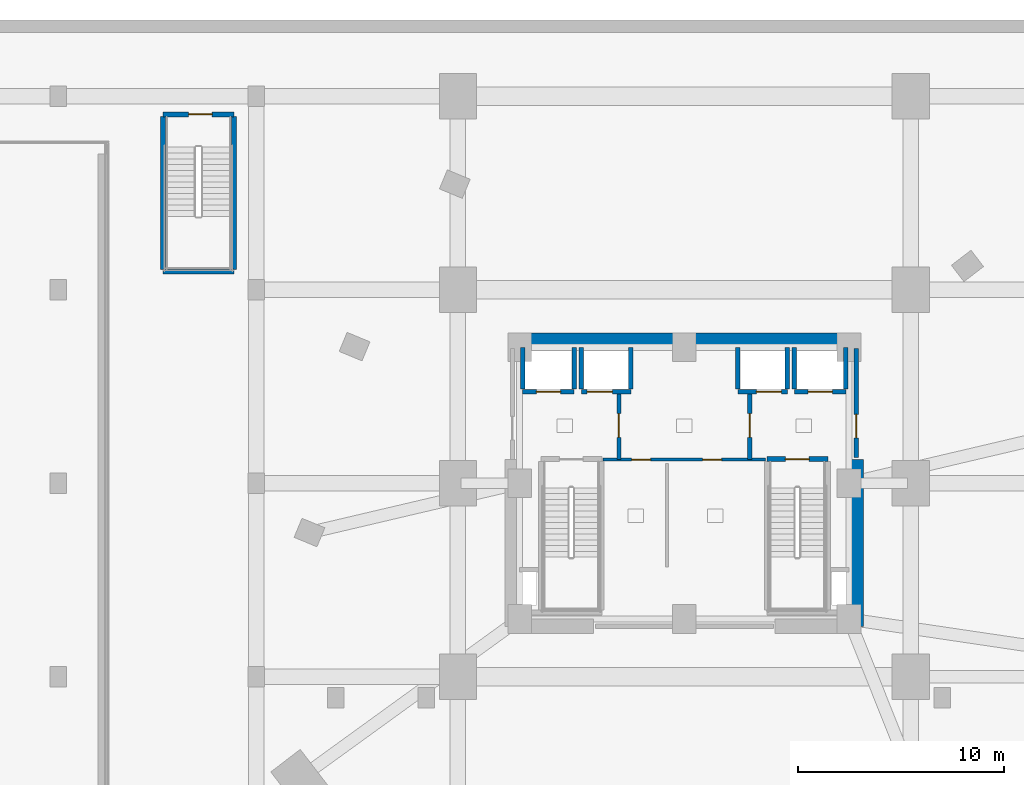
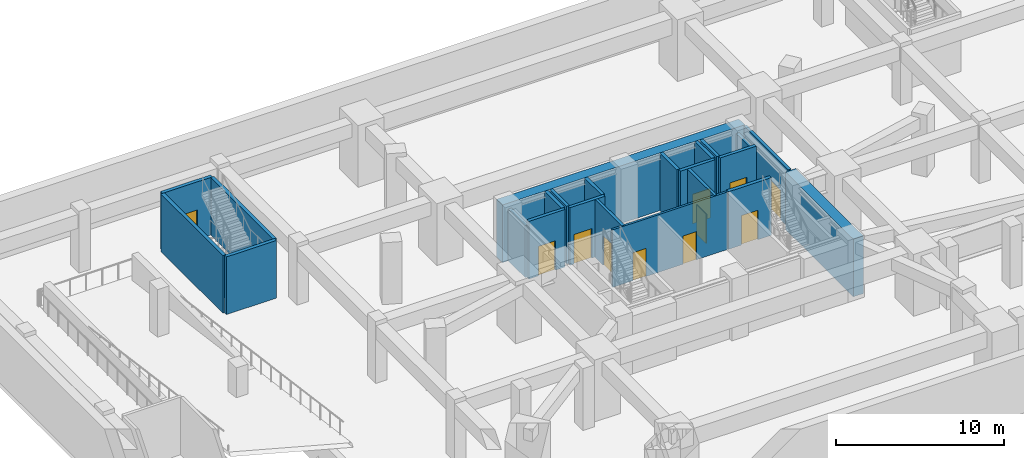
# One storey, part 3 of 9: 23 walls, 11 doors, 11 openings.
"""IFC4 building model written with IfcOpenShell, lengths in metres."""

from ifc_helpers import new_model, si_unit, direction, frame, frame_2d, origin, place, context, subcontext, project, spatial, rectangle, extrude, material, layer, layer_set, type_object, element, fill, save


model = new_model("IFC4")

# Units and contexts
model_context = context("Model", 3, precision=1e-05, world=origin(), true_north=direction((0.0, 1.0)))
body_context = subcontext(model_context, "Body", "Model", "MODEL_VIEW")
ifc_project = project(units=[si_unit("LENGTHUNIT", "METRE"), si_unit("AREAUNIT", "SQUARE_METRE"), si_unit("VOLUMEUNIT", "CUBIC_METRE"), si_unit("PLANEANGLEUNIT", "RADIAN"), si_unit("MASSUNIT", "GRAM", prefix="KILO")], contexts=[model_context])

# Site, building, storey
site_placement = place(None, origin())
site = spatial("IfcSite", under=ifc_project, at=site_placement, CompositionType="ELEMENT")
building_placement = place(site_placement, origin())
building = spatial("IfcBuilding", under=site, at=building_placement, Name="Ndelora Gate Hotel", CompositionType="ELEMENT")
storey_placement = place(building_placement, frame((0.0, 0.0, -9.0)))
storey = spatial("IfcBuildingStorey", under=building, at=storey_placement, Name="B02", CompositionType="ELEMENT", Elevation=-9.0)

# Walls
ifc_material_1 = material(Name="Concrete C60/75", Category="concrete")
ifc_layer_1 = layer(ifc_material_1, 0.699951171875)
ifc_layer_set_1 = layer_set([ifc_layer_1], Name="Concrete C60/75")
wall_type_1 = type_object("IfcWallType", Name="WL-CORE-700", PredefinedType="SHEAR", material=ifc_layer_set_1)
wall_1_placement = place(storey_placement, frame((-8.35009765625, 6.949951171875, 0.0), z_axis=(0.0, 0.0, 1.0), x_axis=(1.0, 0.0, 0.0)))
element("IfcWall", 1, at=wall_1_placement, inside=storey, type_object=wall_type_1, Name="B02 Core Shear Wall N", PredefinedType="SHEAR", context=body_context, shape_type="SweptSolid", body=[
    extrude(rectangle(XDim=16.7001953125, YDim=0.699951171875, at=frame_2d((8.35009765625, 0.0))), origin(), (0.0, 0.0, 1.0), 4.199951171875),
])
wall_2_placement = place(storey_placement, frame((8.35009765625, -6.949951171875, 0.0), z_axis=(0.0, 0.0, 1.0), x_axis=(0.0, 1.0, 0.0)))
element("IfcWall", 2, at=wall_2_placement, inside=storey, type_object=wall_type_1, Name="B02 Core Shear Wall E", PredefinedType="SHEAR", context=body_context, shape_type="SweptSolid", body=[
    extrude(rectangle(XDim=8.099853515625, YDim=0.699951171875, at=frame_2d((4.0498046875, 0.0))), origin(), (0.0, 0.0, 1.0), 4.199951171875),
])

# Wall, opening, door
ifc_material_2 = material(Name="Concrete C40/50", Category="concrete")
ifc_layer_2 = layer(ifc_material_2, 0.199951171875)
ifc_layer_set_2 = layer_set([ifc_layer_2], Name="Concrete C40/50")
wall_type_2 = type_object("IfcWallType", Name="WL-FIRE-200", PredefinedType="PARTITIONING", material=ifc_layer_set_2)
wall_3_placement = place(storey_placement, frame((-3.179931640625, 1.14990234375, 0.0), z_axis=(0.0, 0.0, 1.0), x_axis=(0.0, 1.0, 0.0)))
wall_3 = element("IfcWall", 3, at=wall_3_placement, inside=storey, type_object=wall_type_2, Name="B02 Interior Wall IW-2", PredefinedType="PARTITIONING", context=body_context, shape_type="SweptSolid", body=[
    extrude(rectangle(XDim=3.300048828125, YDim=0.199951171875, at=frame_2d((1.64990234375, 0.0))), origin(), (0.0, 0.0, 1.0), 4.199951171875),
])
opening_1_placement = place(wall_3_placement, frame((1.080078125, 0.0, 0.0)))
opening_1 = element("IfcOpeningElement", 4, at=opening_1_placement, cuts=wall_3, Name="Opening FD1", PredefinedType="OPENING", context=body_context, shape_type="SweptSolid", body=[
    extrude(rectangle(XDim=1.14990234375, YDim=2.14990234375, at=frame_2d((0.574951171875, 1.074951171875))), frame((0.0, 0.10986328125, 0.0), z_axis=(0.0, -1.0, 0.0), x_axis=(1.0, 0.0, 0.0)), (0.0, 0.0, 1.0), 0.219970703125),
])
ifc_material_3 = material(Name="Fire-Rated Timber-Veneer Steel Core", Category="steel")
door_type_1 = type_object("IfcDoorType", Name="DR-FD60", OperationType="SINGLE_SWING_LEFT", PredefinedType="DOOR", material=ifc_material_3)
door_1_placement = place(opening_1_placement, origin())
door_1 = element("IfcDoor", 5, at=door_1_placement, inside=storey, type_object=door_type_1, Name="B02 Firefighting Lobby West Door", OperationType="SINGLE_SWING_RIGHT", OverallHeight=2.14990234375, OverallWidth=1.14990234375, PredefinedType="DOOR", context=body_context, shape_type="SweptSolid", body=[
    extrude(rectangle(XDim=1.14990234375, YDim=2.14990234375, at=frame_2d((0.574951171875, 1.074951171875))), frame((0.0, 0.02490234375, 0.0), z_axis=(0.0, -1.0, 0.0), x_axis=(1.0, 0.0, 0.0)), (0.0, 0.0, 1.0), 0.050048828125),
])
fill(opening_1, door_1)

wall_4_placement = place(storey_placement, frame((3.179931640625, 1.14990234375, 0.0), z_axis=(0.0, 0.0, 1.0), x_axis=(0.0, 1.0, 0.0)))
wall_4 = element("IfcWall", 6, at=wall_4_placement, inside=storey, type_object=wall_type_2, Name="B02 Interior Wall IW-2", PredefinedType="PARTITIONING", context=body_context, shape_type="SweptSolid", body=[
    extrude(rectangle(XDim=3.300048828125, YDim=0.199951171875, at=frame_2d((1.64990234375, 0.0))), origin(), (0.0, 0.0, 1.0), 4.199951171875),
])
opening_2_placement = place(wall_4_placement, frame((1.080078125, 0.0, 0.0)))
opening_2 = element("IfcOpeningElement", 7, at=opening_2_placement, cuts=wall_4, Name="Opening FD1", PredefinedType="OPENING", context=body_context, shape_type="SweptSolid", body=[
    extrude(rectangle(XDim=1.14990234375, YDim=2.14990234375, at=frame_2d((0.574951171875, 1.074951171875))), frame((0.0, 0.10986328125, 0.0), z_axis=(0.0, -1.0, 0.0), x_axis=(1.0, 0.0, 0.0)), (0.0, 0.0, 1.0), 0.219970703125),
])
door_2_placement = place(opening_2_placement, origin())
door_2 = element("IfcDoor", 8, at=door_2_placement, inside=storey, type_object=door_type_1, Name="B02 Firefighting Lobby East Door", OperationType="SINGLE_SWING_LEFT", OverallHeight=2.14990234375, OverallWidth=1.14990234375, PredefinedType="DOOR", context=body_context, shape_type="SweptSolid", body=[
    extrude(rectangle(XDim=1.14990234375, YDim=2.14990234375, at=frame_2d((0.574951171875, 1.074951171875))), frame((0.0, 0.02490234375, 0.0), z_axis=(0.0, -1.0, 0.0), x_axis=(1.0, 0.0, 0.0)), (0.0, 0.0, 1.0), 0.050048828125),
])
fill(opening_2, door_2)

wall_5_placement = place(storey_placement, frame((8.35009765625, 1.25, 0.0), z_axis=(0.0, 0.0, 1.0), x_axis=(0.0, 1.0, 0.0)))
wall_5 = element("IfcWall", 9, at=wall_5_placement, inside=storey, type_object=wall_type_2, Name="B02 Interior Wall IW-2", PredefinedType="PARTITIONING", context=body_context, shape_type="SweptSolid", body=[
    extrude(rectangle(XDim=5.300048828125, YDim=0.199951171875, at=frame_2d((2.64990234375, 0.0))), origin(), (0.0, 0.0, 1.0), 4.199951171875),
])
opening_3_placement = place(wall_5_placement, frame((0.949951171875, 0.0, 0.0)))
opening_3 = element("IfcOpeningElement", 10, at=opening_3_placement, cuts=wall_5, Name="Opening FD1", PredefinedType="OPENING", context=body_context, shape_type="SweptSolid", body=[
    extrude(rectangle(XDim=1.14990234375, YDim=2.14990234375, at=frame_2d((0.574951171875, 1.074951171875))), frame((0.0, 0.10986328125, 0.0), z_axis=(0.0, -1.0, 0.0), x_axis=(1.0, 0.0, 0.0)), (0.0, 0.0, 1.0), 0.219970703125),
])
door_3_placement = place(opening_3_placement, origin())
door_3 = element("IfcDoor", 11, at=door_3_placement, inside=storey, type_object=door_type_1, Name="B02 Firefighting Lobby East Corridor Door", OperationType="SINGLE_SWING_RIGHT", OverallHeight=2.14990234375, OverallWidth=1.14990234375, PredefinedType="DOOR", context=body_context, shape_type="SweptSolid", body=[
    extrude(rectangle(XDim=1.14990234375, YDim=2.14990234375, at=frame_2d((0.574951171875, 1.074951171875))), frame((0.0, 0.02490234375, 0.0), z_axis=(0.0, -1.0, 0.0), x_axis=(1.0, 0.0, 0.0)), (0.0, 0.0, 1.0), 0.050048828125),
])
fill(opening_3, door_3)

# Wall, openings, doors
ifc_material_4 = material(Name="Fire-Rated Gypsum Stud Partition", Category="gypsum")
ifc_layer_3 = layer(ifc_material_4, 0.14990234375)
ifc_layer_set_3 = layer_set([ifc_layer_3], Name="Fire-Rated Gypsum Stud Partition")
wall_type_3 = type_object("IfcWallType", Name="WL-PART-150", PredefinedType="PARTITIONING", material=ifc_layer_set_3)
wall_6_placement = place(storey_placement, frame((3.949951171875, 1.14990234375, 0.0), z_axis=(0.0, 0.0, 1.0), x_axis=(-1.0, 0.0, 0.0)))
wall_6 = element("IfcWall", 12, at=wall_6_placement, inside=storey, type_object=wall_type_3, Name="B02 Interior Wall IW-5", PredefinedType="PARTITIONING", context=body_context, shape_type="SweptSolid", body=[
    extrude(rectangle(XDim=7.89990234375, YDim=0.14990234375, at=frame_2d((3.949951171875, 0.0))), origin(), (0.0, 0.0, 1.0), 4.199951171875),
])
opening_4_placement = place(wall_6_placement, frame((5.590087890625, 0.0, 0.0)))
opening_4 = element("IfcOpeningElement", 13, at=opening_4_placement, cuts=wall_6, Name="Opening D04", PredefinedType="OPENING", context=body_context, shape_type="SweptSolid", body=[
    extrude(rectangle(XDim=0.919921875, YDim=2.050048828125, at=frame_2d((0.4599609375, 1.02490234375))), frame((0.0, 0.0849609375, 0.0), z_axis=(0.0, -1.0, 0.0), x_axis=(1.0, 0.0, 0.0)), (0.0, 0.0, 1.0), 0.169921875),
])
opening_5_placement = place(wall_6_placement, frame((2.139892578125, 0.0, 0.0)))
opening_5 = element("IfcOpeningElement", 14, at=opening_5_placement, cuts=wall_6, Name="Opening D04", PredefinedType="OPENING", context=body_context, shape_type="SweptSolid", body=[
    extrude(rectangle(XDim=0.919921875, YDim=2.050048828125, at=frame_2d((0.4599609375, 1.02490234375))), frame((0.0, 0.0849609375, 0.0), z_axis=(0.0, -1.0, 0.0), x_axis=(1.0, 0.0, 0.0)), (0.0, 0.0, 1.0), 0.169921875),
])
ifc_material_5 = material(Name="Painted Steel Core Service Door", Category="steel")
door_type_2 = type_object("IfcDoorType", Name="DR-SER-920", OperationType="SINGLE_SWING_LEFT", PredefinedType="DOOR", material=ifc_material_5)
door_4_placement = place(opening_4_placement, origin())
door_4 = element("IfcDoor", 15, at=door_4_placement, inside=storey, type_object=door_type_2, Name="B02 Core Electrical Switchroom Door", OperationType="SINGLE_SWING_LEFT", OverallHeight=2.050048828125, OverallWidth=0.919921875, PredefinedType="DOOR", context=body_context, shape_type="SweptSolid", body=[
    extrude(rectangle(XDim=0.919921875, YDim=2.050048828125, at=frame_2d((0.4599609375, 1.02490234375))), frame((0.0, 0.02490234375, 0.0), z_axis=(0.0, -1.0, 0.0), x_axis=(1.0, 0.0, 0.0)), (0.0, 0.0, 1.0), 0.050048828125),
])
fill(opening_4, door_4)
door_5_placement = place(opening_5_placement, origin())
door_5 = element("IfcDoor", 16, at=door_5_placement, inside=storey, type_object=door_type_2, Name="B02 Central Linen Equipment Store Door", OperationType="SINGLE_SWING_RIGHT", OverallHeight=2.050048828125, OverallWidth=0.919921875, PredefinedType="DOOR", context=body_context, shape_type="SweptSolid", body=[
    extrude(rectangle(XDim=0.919921875, YDim=2.050048828125, at=frame_2d((0.4599609375, 1.02490234375))), frame((0.0, 0.02490234375, 0.0), z_axis=(0.0, -1.0, 0.0), x_axis=(1.0, 0.0, 0.0)), (0.0, 0.0, 1.0), 0.050048828125),
])
fill(opening_5, door_5)

# Wall, opening, door
ifc_layer_4 = layer(ifc_material_2, 0.219970703125)
ifc_layer_set_4 = layer_set([ifc_layer_4], Name="Concrete C40/50")
wall_type_4 = type_object("IfcWallType", Name="WL-SHAFT-220", PredefinedType="PARTITIONING", material=ifc_layer_set_4)
wall_7_placement = place(storey_placement, frame((-7.85009765625, 4.449951171875, 0.0), z_axis=(0.0, 0.0, 1.0), x_axis=(1.0, 0.0, 0.0)))
wall_7 = element("IfcWall", 17, at=wall_7_placement, inside=storey, type_object=wall_type_4, Name="B02 Interior Wall IW-1", PredefinedType="PARTITIONING", context=body_context, shape_type="SweptSolid", body=[
    extrude(rectangle(XDim=2.5, YDim=0.219970703125, at=frame_2d((1.25, 0.0))), origin(), (0.0, 0.0, 1.0), 4.199951171875),
])
opening_6_placement = place(wall_7_placement, frame((0.659912109375, 0.0, 0.0)))
opening_6 = element("IfcOpeningElement", 18, at=opening_6_placement, cuts=wall_7, Name="Opening LD5", PredefinedType="OPENING", context=body_context, shape_type="SweptSolid", body=[
    extrude(rectangle(XDim=1.179931640625, YDim=2.14990234375, at=frame_2d((0.58984375, 1.074951171875))), frame((0.0, 0.1201171875, 0.0), z_axis=(0.0, -1.0, 0.0), x_axis=(1.0, 0.0, 0.0)), (0.0, 0.0, 1.0), 0.239990234375),
])
ifc_material_6 = material(Name="Firefighting Lift Stainless Sliding Landing Door", Category="metal")
door_type_3 = type_object("IfcDoorType", Name="DR-LD5", OperationType="DOUBLE_DOOR_SLIDING", PredefinedType="DOOR", material=ifc_material_6)
door_6_placement = place(opening_6_placement, origin())
door_6 = element("IfcDoor", 19, at=door_6_placement, inside=storey, type_object=door_type_3, Name="B02 Lift Landing Sliding Door FFL1", OperationType="DOUBLE_DOOR_SLIDING", OverallHeight=2.14990234375, OverallWidth=1.179931640625, PredefinedType="DOOR", context=body_context, shape_type="SweptSolid", body=[
    extrude(rectangle(XDim=1.179931640625, YDim=2.14990234375, at=frame_2d((0.58984375, 1.074951171875))), frame((0.0, 0.02490234375, 0.0), z_axis=(0.0, -1.0, 0.0), x_axis=(1.0, 0.0, 0.0)), (0.0, 0.0, 1.0), 0.050048828125),
])
fill(opening_6, door_6)

# Walls
wall_8_placement = place(storey_placement, frame((-7.85009765625, 4.570068359375, 0.0), z_axis=(0.0, 0.0, 1.0), x_axis=(0.0, 1.0, 0.0)))
element("IfcWall", 20, at=wall_8_placement, inside=storey, type_object=wall_type_4, Name="B02 Interior Wall IW-1", PredefinedType="PARTITIONING", context=body_context, shape_type="SweptSolid", body=[
    extrude(rectangle(XDim=2.030029296875, YDim=0.219970703125, at=frame_2d((1.01513671875, 0.0))), origin(), (0.0, 0.0, 1.0), 3.780029296875),
])
wall_9_placement = place(storey_placement, frame((-5.35009765625, 4.570068359375, 0.0), z_axis=(0.0, 0.0, 1.0), x_axis=(0.0, 1.0, 0.0)))
element("IfcWall", 21, at=wall_9_placement, inside=storey, type_object=wall_type_4, Name="B02 Interior Wall IW-1", PredefinedType="PARTITIONING", context=body_context, shape_type="SweptSolid", body=[
    extrude(rectangle(XDim=2.030029296875, YDim=0.219970703125, at=frame_2d((1.01513671875, 0.0))), origin(), (0.0, 0.0, 1.0), 4.199951171875),
])

# Wall, opening, door
wall_10_placement = place(storey_placement, frame((5.35009765625, 4.449951171875, 0.0), z_axis=(0.0, 0.0, 1.0), x_axis=(1.0, 0.0, 0.0)))
wall_10 = element("IfcWall", 22, at=wall_10_placement, inside=storey, type_object=wall_type_4, Name="B02 Interior Wall IW-1", PredefinedType="PARTITIONING", context=body_context, shape_type="SweptSolid", body=[
    extrude(rectangle(XDim=2.5, YDim=0.219970703125, at=frame_2d((1.25, 0.0))), origin(), (0.0, 0.0, 1.0), 4.199951171875),
])
opening_7_placement = place(wall_10_placement, frame((0.659912109375, 0.0, 0.0)))
opening_7 = element("IfcOpeningElement", 23, at=opening_7_placement, cuts=wall_10, Name="Opening LD5", PredefinedType="OPENING", context=body_context, shape_type="SweptSolid", body=[
    extrude(rectangle(XDim=1.179931640625, YDim=2.14990234375, at=frame_2d((0.58984375, 1.074951171875))), frame((0.0, 0.1201171875, 0.0), z_axis=(0.0, -1.0, 0.0), x_axis=(1.0, 0.0, 0.0)), (0.0, 0.0, 1.0), 0.239990234375),
])
door_7_placement = place(opening_7_placement, origin())
door_7 = element("IfcDoor", 24, at=door_7_placement, inside=storey, type_object=door_type_3, Name="B02 Lift Landing Sliding Door FFL2", OperationType="DOUBLE_DOOR_SLIDING", OverallHeight=2.14990234375, OverallWidth=1.179931640625, PredefinedType="DOOR", context=body_context, shape_type="SweptSolid", body=[
    extrude(rectangle(XDim=1.179931640625, YDim=2.14990234375, at=frame_2d((0.58984375, 1.074951171875))), frame((0.0, 0.02490234375, 0.0), z_axis=(0.0, -1.0, 0.0), x_axis=(1.0, 0.0, 0.0)), (0.0, 0.0, 1.0), 0.050048828125),
])
fill(opening_7, door_7)

# Walls
wall_11_placement = place(storey_placement, frame((5.35009765625, 4.570068359375, 0.0), z_axis=(0.0, 0.0, 1.0), x_axis=(0.0, 1.0, 0.0)))
element("IfcWall", 25, at=wall_11_placement, inside=storey, type_object=wall_type_4, Name="B02 Interior Wall IW-1", PredefinedType="PARTITIONING", context=body_context, shape_type="SweptSolid", body=[
    extrude(rectangle(XDim=2.030029296875, YDim=0.219970703125, at=frame_2d((1.01513671875, 0.0))), origin(), (0.0, 0.0, 1.0), 4.199951171875),
])
wall_12_placement = place(storey_placement, frame((7.85009765625, 4.570068359375, 0.0), z_axis=(0.0, 0.0, 1.0), x_axis=(0.0, 1.0, 0.0)))
element("IfcWall", 26, at=wall_12_placement, inside=storey, type_object=wall_type_4, Name="B02 Interior Wall IW-1", PredefinedType="PARTITIONING", context=body_context, shape_type="SweptSolid", body=[
    extrude(rectangle(XDim=2.030029296875, YDim=0.219970703125, at=frame_2d((1.01513671875, 0.0))), origin(), (0.0, 0.0, 1.0), 3.780029296875),
])

# Wall, opening, door
wall_13_placement = place(storey_placement, frame((-5.0, 4.449951171875, 0.0), z_axis=(0.0, 0.0, 1.0), x_axis=(1.0, 0.0, 0.0)))
wall_13 = element("IfcWall", 27, at=wall_13_placement, inside=storey, type_object=wall_type_4, Name="B02 Interior Wall IW-1", PredefinedType="PARTITIONING", context=body_context, shape_type="SweptSolid", body=[
    extrude(rectangle(XDim=2.39990234375, YDim=0.219970703125, at=frame_2d((1.199951171875, 0.0))), origin(), (0.0, 0.0, 1.0), 4.199951171875),
])
opening_8_placement = place(wall_13_placement, frame((0.280029296875, 0.0, 0.0)))
opening_8 = element("IfcOpeningElement", 28, at=opening_8_placement, cuts=wall_13, Name="Opening LD6", PredefinedType="OPENING", context=body_context, shape_type="SweptSolid", body=[
    extrude(rectangle(XDim=1.219970703125, YDim=2.14990234375, at=frame_2d((0.60986328125, 1.074951171875))), frame((0.0, 0.1201171875, 0.0), z_axis=(0.0, -1.0, 0.0), x_axis=(1.0, 0.0, 0.0)), (0.0, 0.0, 1.0), 0.239990234375),
])
ifc_material_7 = material(Name="Heavy-Duty Service Lift Sliding Landing Door", Category="wood")
door_type_4 = type_object("IfcDoorType", Name="DR-LD6", OperationType="DOUBLE_DOOR_SLIDING", PredefinedType="DOOR", material=ifc_material_7)
door_8_placement = place(opening_8_placement, origin())
door_8 = element("IfcDoor", 29, at=door_8_placement, inside=storey, type_object=door_type_4, Name="B02 Lift Landing Sliding Door SVL1", OperationType="DOUBLE_DOOR_SLIDING", OverallHeight=2.14990234375, OverallWidth=1.219970703125, PredefinedType="DOOR", context=body_context, shape_type="SweptSolid", body=[
    extrude(rectangle(XDim=1.219970703125, YDim=2.14990234375, at=frame_2d((0.60986328125, 1.074951171875))), frame((0.0, 0.02490234375, 0.0), z_axis=(0.0, -1.0, 0.0), x_axis=(1.0, 0.0, 0.0)), (0.0, 0.0, 1.0), 0.050048828125),
])
fill(opening_8, door_8)

# Walls
for number, where, z_axis, x_axis, name in (
    (30, (-5.0, 4.570068359375, 0.0), (0.0, 0.0, 1.0), (0.0, 1.0, 0.0), "B02 Interior Wall IW-1"),
    (31, (-2.60009765625, 4.570068359375, 0.0), (0.0, 0.0, 1.0), (0.0, 1.0, 0.0), "B02 Interior Wall IW-1"),
):
    element("IfcWall", number, at=place(storey_placement, frame(where, z_axis=z_axis, x_axis=x_axis)), inside=storey, type_object=wall_type_4, Name=name, PredefinedType="PARTITIONING", context=body_context, shape_type="SweptSolid", body=[
        extrude(rectangle(XDim=2.030029296875, YDim=0.219970703125, at=frame_2d((1.01513671875, 0.0))), origin(), (0.0, 0.0, 1.0), 4.199951171875),
    ])

# Wall, opening, door
wall_14_placement = place(storey_placement, frame((2.60009765625, 4.449951171875, 0.0), z_axis=(0.0, 0.0, 1.0), x_axis=(1.0, 0.0, 0.0)))
wall_14 = element("IfcWall", 32, at=wall_14_placement, inside=storey, type_object=wall_type_4, Name="B02 Interior Wall IW-1", PredefinedType="PARTITIONING", context=body_context, shape_type="SweptSolid", body=[
    extrude(rectangle(XDim=2.39990234375, YDim=0.219970703125, at=frame_2d((1.199951171875, 0.0))), origin(), (0.0, 0.0, 1.0), 4.199951171875),
])
opening_9_placement = place(wall_14_placement, frame((0.89990234375, 0.0, 0.0)))
opening_9 = element("IfcOpeningElement", 33, at=opening_9_placement, cuts=wall_14, Name="Opening LD6", PredefinedType="OPENING", context=body_context, shape_type="SweptSolid", body=[
    extrude(rectangle(XDim=1.219970703125, YDim=2.14990234375, at=frame_2d((0.60986328125, 1.074951171875))), frame((0.0, 0.1201171875, 0.0), z_axis=(0.0, -1.0, 0.0), x_axis=(1.0, 0.0, 0.0)), (0.0, 0.0, 1.0), 0.239990234375),
])
door_9_placement = place(opening_9_placement, origin())
door_9 = element("IfcDoor", 34, at=door_9_placement, inside=storey, type_object=door_type_4, Name="B02 Lift Landing Sliding Door SVL2", OperationType="DOUBLE_DOOR_SLIDING", OverallHeight=2.14990234375, OverallWidth=1.219970703125, PredefinedType="DOOR", context=body_context, shape_type="SweptSolid", body=[
    extrude(rectangle(XDim=1.219970703125, YDim=2.14990234375, at=frame_2d((0.60986328125, 1.074951171875))), frame((0.0, 0.02490234375, 0.0), z_axis=(0.0, -1.0, 0.0), x_axis=(1.0, 0.0, 0.0)), (0.0, 0.0, 1.0), 0.050048828125),
])
fill(opening_9, door_9)

# Walls
for number, where, z_axis, x_axis, name in (
    (35, (2.60009765625, 4.570068359375, 0.0), (0.0, 0.0, 1.0), (0.0, 1.0, 0.0), "B02 Interior Wall IW-1"),
    (36, (5.0, 4.570068359375, 0.0), (0.0, 0.0, 1.0), (0.0, 1.0, 0.0), "B02 Interior Wall IW-1"),
):
    element("IfcWall", number, at=place(storey_placement, frame(where, z_axis=z_axis, x_axis=x_axis)), inside=storey, type_object=wall_type_4, Name=name, PredefinedType="PARTITIONING", context=body_context, shape_type="SweptSolid", body=[
        extrude(rectangle(XDim=2.030029296875, YDim=0.219970703125, at=frame_2d((1.01513671875, 0.0))), origin(), (0.0, 0.0, 1.0), 4.199951171875),
    ])

# Wall, opening, door
ifc_material_8 = material(Name="Concrete C50/60", Category="concrete")
ifc_layer_5 = layer(ifc_material_8, 0.239990234375)
ifc_layer_set_5 = layer_set([ifc_layer_5], Name="Concrete C50/60")
wall_type_5 = type_object("IfcWallType", Name="WL-STAIR-240", PredefinedType="SHEAR", material=ifc_layer_set_5)
wall_15_placement = place(storey_placement, frame((4.010009765625, 1.169921875, 0.0), z_axis=(0.0, 0.0, 1.0), x_axis=(1.0, 0.0, 0.0)))
wall_15 = element("IfcWall", 37, at=wall_15_placement, inside=storey, type_object=wall_type_5, Name="B02 Stair Core Shear Wall SW-ST", PredefinedType="SHEAR", context=body_context, shape_type="SweptSolid", body=[
    extrude(rectangle(XDim=2.9599609375, YDim=0.239990234375, at=frame_2d((1.47998046875, 0.0))), origin(), (0.0, 0.0, 1.0), 4.199951171875),
])
opening_10_placement = place(wall_15_placement, frame((0.89990234375, 0.0, 0.0)))
opening_10 = element("IfcOpeningElement", 38, at=opening_10_placement, cuts=wall_15, Name="Opening FD1", PredefinedType="OPENING", context=body_context, shape_type="SweptSolid", body=[
    extrude(rectangle(XDim=1.14990234375, YDim=2.14990234375, at=frame_2d((0.574951171875, 1.074951171875))), frame((0.0, 0.1298828125, 0.0), z_axis=(0.0, -1.0, 0.0), x_axis=(1.0, 0.0, 0.0)), (0.0, 0.0, 1.0), 0.260009765625),
])
door_10_placement = place(opening_10_placement, origin())
door_10 = element("IfcDoor", 39, at=door_10_placement, inside=storey, type_object=door_type_1, Name="B02 Exit Stair ST5 Door", OperationType="SINGLE_SWING_RIGHT", OverallHeight=2.14990234375, OverallWidth=1.14990234375, PredefinedType="DOOR", context=body_context, shape_type="SweptSolid", body=[
    extrude(rectangle(XDim=1.14990234375, YDim=2.14990234375, at=frame_2d((0.574951171875, 1.074951171875))), frame((0.0, 0.02490234375, 0.0), z_axis=(0.0, -1.0, 0.0), x_axis=(1.0, 0.0, 0.0)), (0.0, 0.0, 1.0), 0.050048828125),
])
fill(opening_10, door_10)

# Walls
for number, where, z_axis, x_axis, name in (
    (40, (-25.320068359375, 10.389892578125, 0.0), (0.0, 0.0, 1.0), (0.0, 1.0, 0.0), "B02 Stair Core Shear Wall SW-ST"),
    (41, (-21.8798828125, 10.389892578125, 0.0), (0.0, 0.0, 1.0), (0.0, 1.0, 0.0), "B02 Stair Core Shear Wall SW-ST"),
):
    element("IfcWall", number, at=place(storey_placement, frame(where, z_axis=z_axis, x_axis=x_axis)), inside=storey, type_object=wall_type_5, Name=name, PredefinedType="SHEAR", context=body_context, shape_type="SweptSolid", body=[
        extrude(rectangle(XDim=7.420166015625, YDim=0.239990234375, at=frame_2d((3.7099609375, 0.0))), origin(), (0.0, 0.0, 1.0), 4.199951171875),
    ])
wall_16_placement = place(storey_placement, frame((-25.320068359375, 10.280029296875, 0.0), z_axis=(0.0, 0.0, 1.0), x_axis=(1.0, 0.0, 0.0)))
element("IfcWall", 42, at=wall_16_placement, inside=storey, type_object=wall_type_5, Name="B02 Stair Core Shear Wall SW-ST", PredefinedType="SHEAR", context=body_context, shape_type="SweptSolid", body=[
    extrude(rectangle(XDim=3.440185546875, YDim=0.239990234375, at=frame_2d((1.72021484375, 0.0))), origin(), (0.0, 0.0, 1.0), 4.199951171875),
])

# Wall, opening, door
wall_17_placement = place(storey_placement, frame((-21.8798828125, 17.919921875, 0.0), z_axis=(0.0, 0.0, 1.0), x_axis=(-1.0, 0.0, 0.0)))
wall_17 = element("IfcWall", 43, at=wall_17_placement, inside=storey, type_object=wall_type_5, Name="B02 Stair Core Shear Wall SW-ST", PredefinedType="SHEAR", context=body_context, shape_type="SweptSolid", body=[
    extrude(rectangle(XDim=3.440185546875, YDim=0.239990234375, at=frame_2d((1.72021484375, 0.0))), origin(), (0.0, 0.0, 1.0), 4.199951171875),
])
opening_11_placement = place(wall_17_placement, frame((1.050048828125, 0.0, 0.0)))
opening_11 = element("IfcOpeningElement", 44, at=opening_11_placement, cuts=wall_17, Name="Opening FD1", PredefinedType="OPENING", context=body_context, shape_type="SweptSolid", body=[
    extrude(rectangle(XDim=1.14990234375, YDim=2.14990234375, at=frame_2d((0.574951171875, 1.074951171875))), frame((0.0, 0.1298828125, 0.0), z_axis=(0.0, -1.0, 0.0), x_axis=(1.0, 0.0, 0.0)), (0.0, 0.0, 1.0), 0.260009765625),
])
door_11_placement = place(opening_11_placement, origin())
door_11 = element("IfcDoor", 45, at=door_11_placement, inside=storey, type_object=door_type_1, Name="B02 Escape Stair ST1 Door", OperationType="SINGLE_SWING_LEFT", OverallHeight=2.14990234375, OverallWidth=1.14990234375, PredefinedType="DOOR", context=body_context, shape_type="SweptSolid", body=[
    extrude(rectangle(XDim=1.14990234375, YDim=2.14990234375, at=frame_2d((0.574951171875, 1.074951171875))), frame((0.0, 0.02490234375, 0.0), z_axis=(0.0, -1.0, 0.0), x_axis=(1.0, 0.0, 0.0)), (0.0, 0.0, 1.0), 0.050048828125),
])
fill(opening_11, door_11)

save(model, "model.ifc")
